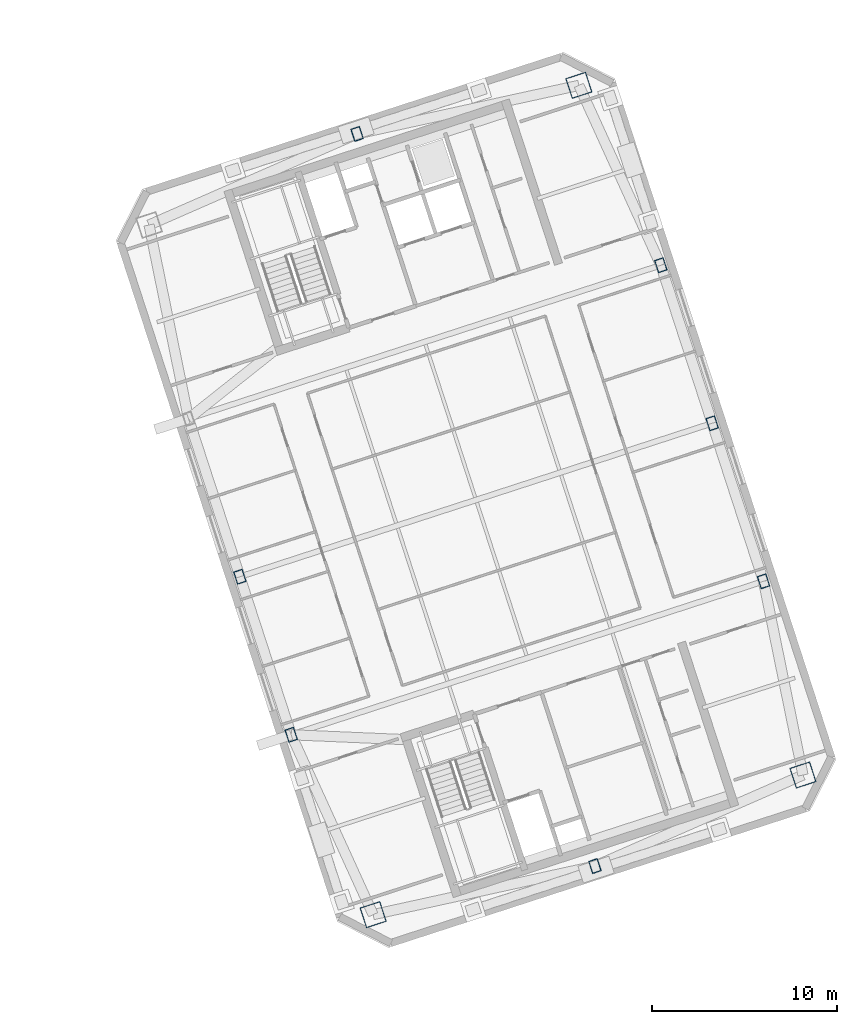
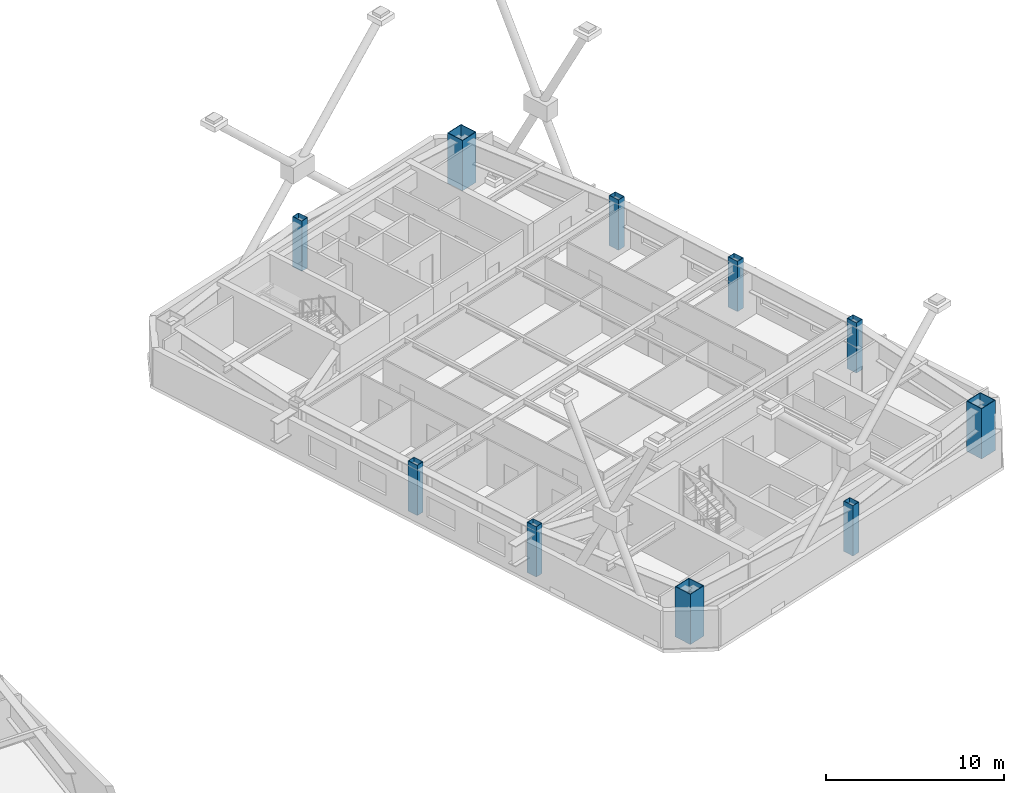
# One storey, part 2 of 15: 10 columns.
"""IFC4 building model written with IfcOpenShell, lengths in metres."""

from ifc_helpers import new_model, si_unit, direction, frame, origin, origin_2d, place, context, subcontext, project, spatial, hollow_rectangle, extrude, material, material_profile, profile_set, type_object, element, save


model = new_model("IFC4")

# Units and contexts
model_context = context("Model", 3, precision=1e-05, world=origin(), true_north=direction((0.0, 1.0)))
body_context = subcontext(model_context, "Body", "Model", "MODEL_VIEW")
ifc_project = project(units=[si_unit("LENGTHUNIT", "METRE"), si_unit("AREAUNIT", "SQUARE_METRE"), si_unit("VOLUMEUNIT", "CUBIC_METRE"), si_unit("PLANEANGLEUNIT", "RADIAN"), si_unit("MASSUNIT", "GRAM", prefix="KILO")], contexts=[model_context])

# Site, building, storey
site_placement = place(None, origin())
site = spatial("IfcSite", under=ifc_project, at=site_placement, CompositionType="ELEMENT")
building_placement = place(site_placement, origin())
building = spatial("IfcBuilding", under=site, at=building_placement, Name="Qiaolan Cultural Towers", CompositionType="ELEMENT")
storey_placement = place(building_placement, frame((0.0, 0.0, 212.75)))
storey = spatial("IfcBuildingStorey", under=building, at=storey_placement, Name="L57", CompositionType="ELEMENT", Elevation=212.75)

# Columns
ifc_material_1 = material(Name="Steel Q390GJB", Category="steel")
ifc_material_profile_1 = material_profile(ifc_material_1, hollow_rectangle(XDim=1.14990234375, YDim=1.14990234375, WallThickness=0.0400390625, at=origin_2d()), Name="BOX1150x1150x40")
ifc_profile_set_1 = profile_set([ifc_material_profile_1], Name="Steel Q390GJB")
column_type_1 = type_object("IfcColumnType", Name="COL-BOX1150x1150x40", PredefinedType="COLUMN", material=ifc_profile_set_1)
for number, where, z_axis, x_axis, name in (
    (1, (84.42822265625, 11.538818359375, 0.0), (0.0, 0.0, 1.0), (0.951056516295, 0.309016994375, 0.0), "L57 T2 Perimeter Column MC-SW"),
    (2, (107.7099609375, 19.103515625, 0.0), (0.0, 0.0, 1.0), (0.951056516295, 0.309016994375, 0.0), "L57 T2 Perimeter Column MC-SE"),
    (3, (95.57177734375, 56.461181640625, 0.0), (0.0, 0.0, 1.0), (0.951056516295, 0.309016994375, 0.0), "L57 T2 Perimeter Column MC-NE"),
):
    element("IfcColumn", number, at=place(storey_placement, frame(where, z_axis=z_axis, x_axis=x_axis)), inside=storey, type_object=column_type_1, Name=name, PredefinedType="COLUMN", context=body_context, shape_type="SweptSolid", body=[
        extrude(hollow_rectangle(XDim=1.14990234375, YDim=1.14990234375, WallThickness=0.0400390625, at=origin_2d()), origin(), (0.0, 0.0, 1.0), 3.450927734375),
    ])
ifc_material_2 = material(Name="Steel Q355B", Category="steel")
ifc_material_profile_2 = material_profile(ifc_material_2, hollow_rectangle(XDim=0.5, YDim=0.699951171875, WallThickness=0.02490234375, at=origin_2d()), Name="BOX700x500x25")
ifc_profile_set_2 = profile_set([ifc_material_profile_2], Name="Steel Q355B")
column_type_2 = type_object("IfcColumnType", Name="COL-BOX700x500x25", PredefinedType="COLUMN", material=ifc_profile_set_2)
for number, where, z_axis, x_axis, name in (
    (4, (79.989501953125, 21.2841796875, 0.0), (0.0, 0.0, 1.0), (0.951056516295, 0.309016994375, 0.0), "L57 T2 Perimeter Column PC-W1"),
    (5, (77.208251953125, 29.84375, 0.0), (0.0, 0.0, 1.0), (0.951056516295, 0.309016994375, 0.0), "L57 T2 Perimeter Column PC-W2"),
    (6, (105.57275390625, 29.5966796875, 0.0), (0.0, 0.0, 1.0), (0.951056516295, 0.309016994375, 0.0), "L57 T2 Perimeter Column PC-E1"),
    (7, (102.791748046875, 38.15625, 0.0), (0.0, 0.0, 1.0), (0.951056516295, 0.309016994375, 0.0), "L57 T2 Perimeter Column PC-E2"),
    (8, (100.010498046875, 46.7158203125, 0.0), (0.0, 0.0, 1.0), (0.951056516295, 0.309016994375, 0.0), "L57 T2 Perimeter Column PC-E3"),
    (9, (96.443115234375, 14.17041015625, 0.0), (0.0, 0.0, 1.0), (0.951056516295, 0.309016994375, 0.0), "L57 T2 Perimeter Column PC-S0"),
    (10, (83.556884765625, 53.82958984375, 0.0), (0.0, 0.0, 1.0), (0.951056516295, 0.309016994375, 0.0), "L57 T2 Perimeter Column PC-N0"),
):
    element("IfcColumn", number, at=place(storey_placement, frame(where, z_axis=z_axis, x_axis=x_axis)), inside=storey, type_object=column_type_2, Name=name, PredefinedType="COLUMN", context=body_context, shape_type="SweptSolid", body=[
        extrude(hollow_rectangle(XDim=0.5, YDim=0.699951171875, WallThickness=0.02490234375, at=origin_2d()), origin(), (0.0, 0.0, 1.0), 3.450927734375),
    ])

save(model, "model.ifc")
